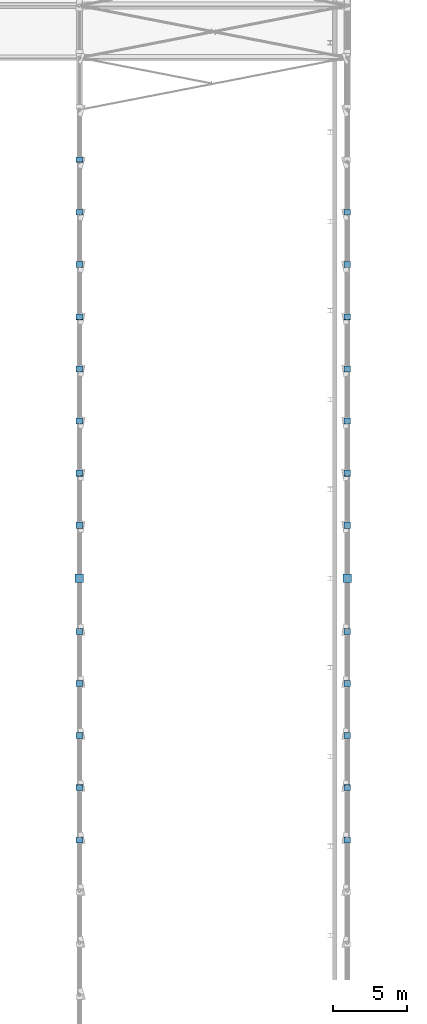
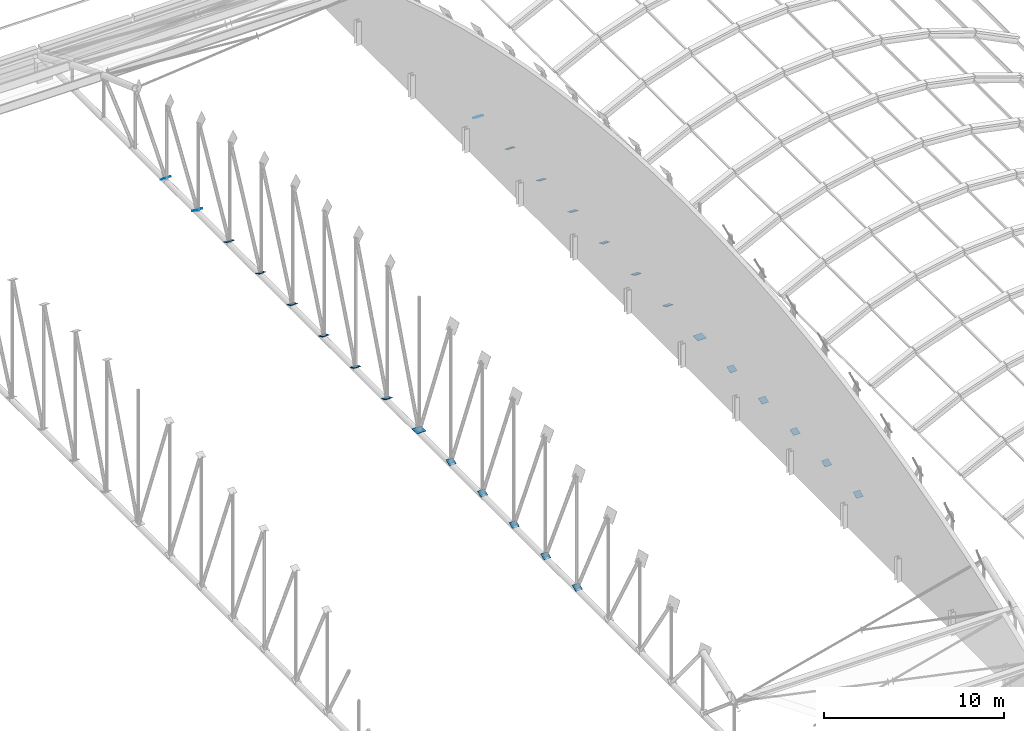
# One storey, part 177 of 196: 27 discrete accessories.
"""IFC4 building model written with IfcOpenShell, lengths in metres."""

from ifc_helpers import new_model, si_unit, direction, frame, origin, origin_2d, place, context, subcontext, project, spatial, rectangle, extrude, material, layer, layer_set, type_object, element, save


model = new_model("IFC4")

# Units and contexts
model_context = context("Model", 3, precision=1e-05, world=origin(), true_north=direction((0.0, 1.0)))
body_context = subcontext(model_context, "Body", "Model", "MODEL_VIEW")
ifc_project = project(units=[si_unit("LENGTHUNIT", "METRE"), si_unit("AREAUNIT", "SQUARE_METRE"), si_unit("VOLUMEUNIT", "CUBIC_METRE"), si_unit("PLANEANGLEUNIT", "RADIAN"), si_unit("MASSUNIT", "GRAM", prefix="KILO")], contexts=[model_context])

# Site, building, storey
site_placement = place(None, origin())
site = spatial("IfcSite", under=ifc_project, at=site_placement, CompositionType="ELEMENT")
building_placement = place(site_placement, origin())
building = spatial("IfcBuilding", under=site, at=building_placement, Name="Okhra Congress Centre", CompositionType="ELEMENT")
storey_placement = place(building_placement, frame((0.0, 0.0, 12.0)))
storey = spatial("IfcBuildingStorey", under=building, at=storey_placement, Name="L02", CompositionType="ELEMENT", Elevation=12.0)

# Discrete accessories
ifc_material = material(Name="Steel S355J2", Category="steel")
ifc_layer = layer(ifc_material, 0.02001953125)
ifc_layer_set = layer_set([ifc_layer], Name="Brace end connection plate 20 mm S355")
discrete_accessory_type = type_object("IfcDiscreteAccessoryType", Name="Brace end connection plate 20 mm S355", PredefinedType="BRACKET", material=ifc_layer_set)
for number, where, z_axis, x_axis, name in (
    (1, (136.0, 156.412841796875, 1.577880859375), (0.0, 0.437465718849, -0.899235088746), (-1.0, 0.0, 0.0), "Brace end connection plate"),
    (2, (136.0, 159.920654296875, 1.577880859375), (0.0, 0.402738614266, -0.915315032423), (-1.0, 0.0, 0.0), "Brace end connection plate"),
    (3, (136.0, 163.426025390625, 1.577880859375), (0.0, 0.377683854905, -0.925934612024), (-1.0, 0.0, 0.0), "Brace end connection plate"),
    (4, (136.0, 166.9296875, 1.577880859375), (0.0, 0.367166534736, -0.930155221331), (-1.0, 0.0, 0.0), "Brace end connection plate"),
):
    element("IfcDiscreteAccessory", number, at=place(storey_placement, frame(where, z_axis=z_axis, x_axis=x_axis)), inside=storey, type_object=discrete_accessory_type, Name=name, PredefinedType="BRACKET", context=body_context, shape_type="SweptSolid", body=[
        extrude(rectangle(XDim=0.43798828125, YDim=0.43798828125, at=origin_2d()), origin(), (0.0, 0.0, 1.0), 0.02001953125),
    ])
discrete_accessory_1_placement = place(storey_placement, frame((136.0, 170.431884765625, 1.577880859375), z_axis=(0.0, 0.363030152722, -0.931777391985), x_axis=(-1.0, 0.0, 0.0)))
element("IfcDiscreteAccessory", 5, at=discrete_accessory_1_placement, inside=storey, type_object=discrete_accessory_type, Name="Brace end connection plate", PredefinedType="BRACKET", context=body_context, shape_type="SweptSolid", body=[
    extrude(rectangle(XDim=0.43798828125, YDim=0.43798828125, at=origin_2d()), origin(), (0.0, 0.0, 1.0), 0.020263671875),
])
discrete_accessory_2_placement = place(storey_placement, frame((136.0, 174.0, 1.577880859375), z_axis=(0.0, 0.0, -1.0), x_axis=(1.0, 0.0, 0.0)))
element("IfcDiscreteAccessory", 6, at=discrete_accessory_2_placement, inside=storey, type_object=discrete_accessory_type, Name="Brace end connection plate", PredefinedType="BRACKET", context=body_context, shape_type="SweptSolid", body=[
    extrude(rectangle(XDim=0.571044921875, YDim=0.571044921875, at=origin_2d()), origin(), (0.0, 0.0, 1.0), 0.02001953125),
])
discrete_accessory_3_placement = place(storey_placement, frame((136.0, 177.568115234375, 1.577880859375), z_axis=(0.0, -0.363030152722, -0.931777391985), x_axis=(1.0, 0.0, 0.0)))
element("IfcDiscreteAccessory", 7, at=discrete_accessory_3_placement, inside=storey, type_object=discrete_accessory_type, Name="Brace end connection plate", PredefinedType="BRACKET", context=body_context, shape_type="SweptSolid", body=[
    extrude(rectangle(XDim=0.43798828125, YDim=0.43798828125, at=origin_2d()), origin(), (0.0, 0.0, 1.0), 0.020263671875),
])
for number, where, z_axis, x_axis, name in (
    (8, (136.0, 181.0703125, 1.577880859375), (0.0, -0.367166534736, -0.930155221331), (1.0, 0.0, 0.0), "Brace end connection plate"),
    (9, (136.0, 184.573974609375, 1.577880859375), (0.0, -0.377683854905, -0.925934612024), (1.0, 0.0, 0.0), "Brace end connection plate"),
    (10, (136.0, 188.079345703125, 1.577880859375), (0.0, -0.402738614266, -0.915315032423), (1.0, 0.0, 0.0), "Brace end connection plate"),
    (11, (136.0, 191.587158203125, 1.577880859375), (0.0, -0.437465718849, -0.899235088746), (1.0, 0.0, 0.0), "Brace end connection plate"),
    (12, (136.0, 195.0986328125, 1.577880859375), (0.0, -0.485642931179, -0.874157276122), (1.0, 0.0, 0.0), "Brace end connection plate"),
    (13, (136.0, 198.61669921875, 1.577880859375), (0.0, -0.546267780547, -0.837610596839), (1.0, 0.0, 0.0), "Brace end connection plate"),
    (14, (136.0, 202.147216796875, 1.577880859375), (0.0, -0.643761629109, -0.765226087432), (1.0, 0.0, 0.0), "Brace end connection plate"),
    (15, (154.0, 156.412841796875, 1.577880859375), (0.0, 0.437465718849, -0.899235088746), (-1.0, 0.0, 0.0), "Brace end connection plate"),
    (16, (154.0, 159.920654296875, 1.577880859375), (0.0, 0.402738614266, -0.915315032423), (-1.0, 0.0, 0.0), "Brace end connection plate"),
    (17, (154.0, 163.426025390625, 1.577880859375), (0.0, 0.377683854905, -0.925934612024), (-1.0, 0.0, 0.0), "Brace end connection plate"),
    (18, (154.0, 166.9296875, 1.577880859375), (0.0, 0.367166534736, -0.930155221331), (-1.0, 0.0, 0.0), "Brace end connection plate"),
):
    element("IfcDiscreteAccessory", number, at=place(storey_placement, frame(where, z_axis=z_axis, x_axis=x_axis)), inside=storey, type_object=discrete_accessory_type, Name=name, PredefinedType="BRACKET", context=body_context, shape_type="SweptSolid", body=[
        extrude(rectangle(XDim=0.43798828125, YDim=0.43798828125, at=origin_2d()), origin(), (0.0, 0.0, 1.0), 0.02001953125),
    ])
discrete_accessory_4_placement = place(storey_placement, frame((154.0, 170.431884765625, 1.577880859375), z_axis=(0.0, 0.363030152722, -0.931777391985), x_axis=(-1.0, 0.0, 0.0)))
element("IfcDiscreteAccessory", 19, at=discrete_accessory_4_placement, inside=storey, type_object=discrete_accessory_type, Name="Brace end connection plate", PredefinedType="BRACKET", context=body_context, shape_type="SweptSolid", body=[
    extrude(rectangle(XDim=0.43798828125, YDim=0.43798828125, at=origin_2d()), origin(), (0.0, 0.0, 1.0), 0.020263671875),
])
discrete_accessory_5_placement = place(storey_placement, frame((154.0, 174.0, 1.577880859375), z_axis=(0.0, 0.0, -1.0), x_axis=(1.0, 0.0, 0.0)))
element("IfcDiscreteAccessory", 20, at=discrete_accessory_5_placement, inside=storey, type_object=discrete_accessory_type, Name="Brace end connection plate", PredefinedType="BRACKET", context=body_context, shape_type="SweptSolid", body=[
    extrude(rectangle(XDim=0.571044921875, YDim=0.571044921875, at=origin_2d()), origin(), (0.0, 0.0, 1.0), 0.02001953125),
])
discrete_accessory_6_placement = place(storey_placement, frame((154.0, 177.568115234375, 1.577880859375), z_axis=(0.0, -0.363030152722, -0.931777391985), x_axis=(1.0, 0.0, 0.0)))
element("IfcDiscreteAccessory", 21, at=discrete_accessory_6_placement, inside=storey, type_object=discrete_accessory_type, Name="Brace end connection plate", PredefinedType="BRACKET", context=body_context, shape_type="SweptSolid", body=[
    extrude(rectangle(XDim=0.43798828125, YDim=0.43798828125, at=origin_2d()), origin(), (0.0, 0.0, 1.0), 0.020263671875),
])
for number, where, z_axis, x_axis, name in (
    (22, (154.0, 181.0703125, 1.577880859375), (0.0, -0.367166534736, -0.930155221331), (1.0, 0.0, 0.0), "Brace end connection plate"),
    (23, (154.0, 184.573974609375, 1.577880859375), (0.0, -0.377683854905, -0.925934612024), (1.0, 0.0, 0.0), "Brace end connection plate"),
    (24, (154.0, 188.079345703125, 1.577880859375), (0.0, -0.402738614266, -0.915315032423), (1.0, 0.0, 0.0), "Brace end connection plate"),
    (25, (154.0, 191.587158203125, 1.577880859375), (0.0, -0.437465718849, -0.899235088746), (1.0, 0.0, 0.0), "Brace end connection plate"),
    (26, (154.0, 195.0986328125, 1.577880859375), (0.0, -0.485642931179, -0.874157276122), (1.0, 0.0, 0.0), "Brace end connection plate"),
    (27, (154.0, 198.61669921875, 1.577880859375), (0.0, -0.546267780547, -0.837610596839), (1.0, 0.0, 0.0), "Brace end connection plate"),
):
    element("IfcDiscreteAccessory", number, at=place(storey_placement, frame(where, z_axis=z_axis, x_axis=x_axis)), inside=storey, type_object=discrete_accessory_type, Name=name, PredefinedType="BRACKET", context=body_context, shape_type="SweptSolid", body=[
        extrude(rectangle(XDim=0.43798828125, YDim=0.43798828125, at=origin_2d()), origin(), (0.0, 0.0, 1.0), 0.02001953125),
    ])

save(model, "model.ifc")
